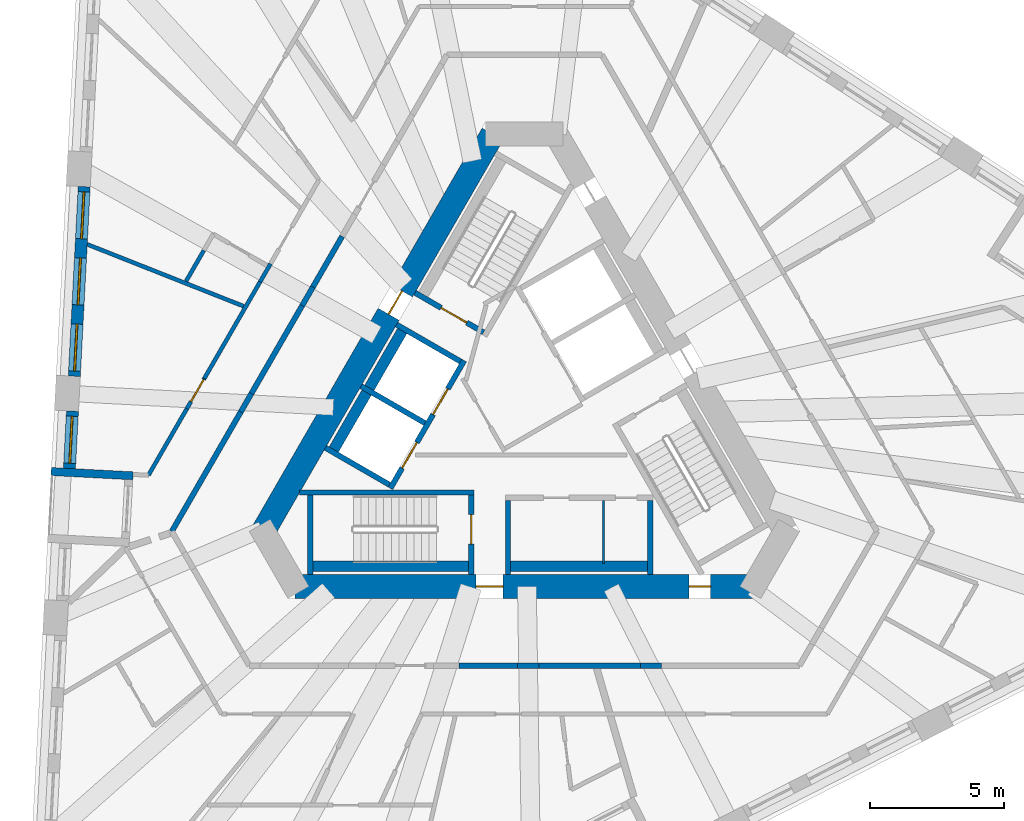
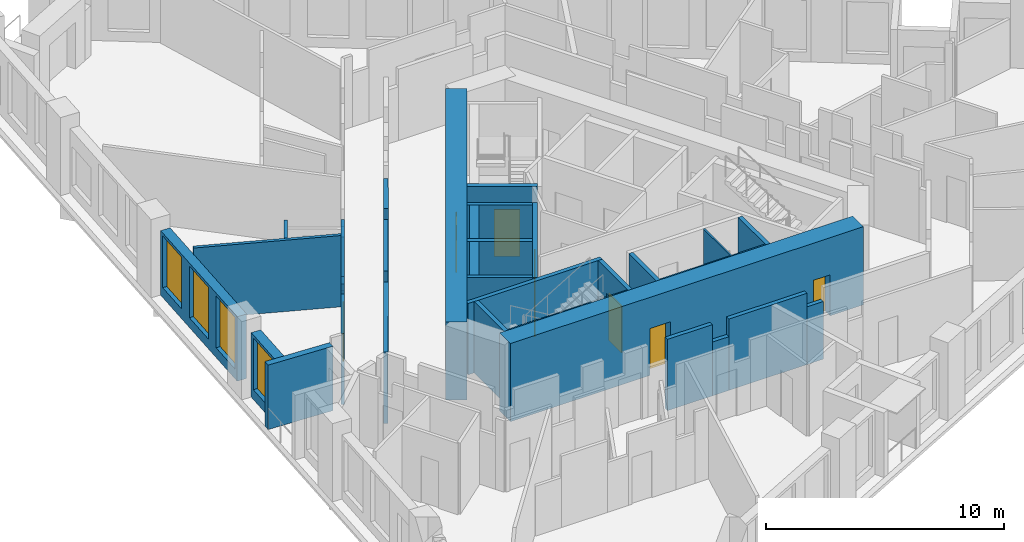
# One storey, part 4 of 13: 34 walls, 8 doors, 4 windows, 12 openings.
"""IFC4 building model written with IfcOpenShell, lengths in metres."""

import ifcopenshell
import ifcopenshell.guid

model = None  # the IFC model being written
_history = None  # IfcOwnerHistory: only IFC2X3 demands one
_inside = {}  # id of a spatial element -> (the spatial element, [elements in it])
_under = {}  # id of a project, library or spatial element -> (it, [spatial elements below it])
_declared = {}  # id of a project -> (the project, [libraries it declares])
_typed = {}  # id of a type object -> (the type object, [elements of that type])
_made_of = {}  # id of a material, layer set ... -> (it, [elements and type objects made of it])


def new_model(schema):
    """Start an empty IFC model of exactly this schema.

    Asked for "IFC4X3", IfcOpenShell would pick the latest addendum, in which some entities
    have other attributes; the version numbers below select the first issue.
    IFC2X3 requires an IfcOwnerHistory on every rooted entity: one is made here for all.
    """
    global model, _history
    if schema == "IFC4X3":
        model = ifcopenshell.file(schema_version=(4, 3, 0, 0))
    else:
        model = ifcopenshell.file(schema=schema)
    _inside.clear()
    _under.clear()
    _declared.clear()
    _typed.clear()
    _made_of.clear()
    _history = None
    if model.schema == "IFC2X3":
        org = make("IfcOrganization", Name="unknown")
        user = make(
            "IfcPersonAndOrganization",
            ThePerson=make("IfcPerson", FamilyName="unknown"),
            TheOrganization=org,
        )
        app = make(
            "IfcApplication",
            ApplicationDeveloper=org,
            Version="unknown",
            ApplicationFullName="unknown",
            ApplicationIdentifier="unknown",
        )
        _history = make(
            "IfcOwnerHistory",
            OwningUser=user,
            OwningApplication=app,
            ChangeAction="ADDED",
            CreationDate=0,
        )
    return model


def make(cls, **values):
    """One entity of the class cls with the attributes given. An attribute that is None is left unset."""
    return model.create_entity(
        cls, **{name: value for name, value in values.items() if value is not None}
    )


def rooted(cls, **values):
    """An entity with a GlobalId (a new one), such as an element, a storey or a relation."""
    return make(cls, GlobalId=ifcopenshell.guid.new(), OwnerHistory=_history, **values)


def si_unit(unit_type, name, prefix=None):
    """IfcSIUnit, for example si_unit("LENGTHUNIT", "METRE", prefix="MILLI")."""
    return make("IfcSIUnit", UnitType=unit_type, Prefix=prefix, Name=name)


def assignment(units):
    """IfcUnitAssignment: the units of a project."""
    return None if units is None else make("IfcUnitAssignment", Units=units)


def point(xyz):
    """IfcCartesianPoint."""
    return None if xyz is None else make("IfcCartesianPoint", Coordinates=xyz)


def direction(xyz):
    """IfcDirection."""
    return None if xyz is None else make("IfcDirection", DirectionRatios=xyz)


def frame(location, z_axis=None, x_axis=None):
    """IfcAxis2Placement3D, a coordinate frame: its origin and axes. An axis left out is left unset."""
    return make(
        "IfcAxis2Placement3D",
        Location=point(location),
        Axis=direction(z_axis),
        RefDirection=direction(x_axis),
    )


def frame_2d(location, x_axis=None):
    """IfcAxis2Placement2D, a coordinate frame in the plane: its origin and x axis."""
    return make(
        "IfcAxis2Placement2D", Location=point(location), RefDirection=direction(x_axis)
    )


def origin():
    """The frame at (0, 0, 0) with its axes left unset."""
    return frame((0.0, 0.0, 0.0))


def place(relative_to, where):
    """IfcLocalPlacement: puts the frame where relative to a parent placement (None: the world)."""
    return make(
        "IfcLocalPlacement", PlacementRelTo=relative_to, RelativePlacement=where
    )


def context(
    kind, dimensions, precision=None, world=None, true_north=None, identifier=None
):
    """IfcGeometricRepresentationContext, for example the 3D "Model" context."""
    return make(
        "IfcGeometricRepresentationContext",
        ContextIdentifier=identifier,
        ContextType=kind,
        CoordinateSpaceDimension=dimensions,
        Precision=precision,
        WorldCoordinateSystem=world,
        TrueNorth=true_north,
    )


def subcontext(parent, identifier, kind, view, scale=None):
    """IfcGeometricRepresentationSubContext, for example "Body" below "Model"."""
    return make(
        "IfcGeometricRepresentationSubContext",
        ContextIdentifier=identifier,
        ContextType=kind,
        ParentContext=parent,
        TargetScale=scale,
        TargetView=view,
    )


def project(units=None, contexts=None):
    """IfcProject with its units and contexts."""
    return rooted(
        "IfcProject",
        Name="project",
        RepresentationContexts=contexts,
        UnitsInContext=assignment(units),
    )


def spatial(cls, under=None, at=None, **own):
    """A site, building, storey or space (cls), placed at a placement, below another one or the project."""
    s = rooted(cls, ObjectPlacement=at, **own)
    if under is not None:
        _under.setdefault(under.id(), (under, []))[1].append(s)
    return s


def polyline(points):
    """IfcPolyline through the points."""
    return make("IfcPolyline", Points=[point(p) for p in points])


def profile(cls, at=None, kind="AREA", **sizes):
    """A parametric profile (cls). Its sizes go by their IFC names, for example OverallWidth=200.0."""
    return make(cls, ProfileType=kind, Position=at, **sizes)


def rectangle(**sizes):
    """IfcRectangleProfileDef."""
    return profile("IfcRectangleProfileDef", **sizes)


def outline(outer, holes=None, kind="AREA"):
    """IfcArbitraryClosedProfileDef: a profile drawn as a closed curve; with holes, ...WithVoids."""
    if holes is None:
        return make("IfcArbitraryClosedProfileDef", ProfileType=kind, OuterCurve=outer)
    return make(
        "IfcArbitraryProfileDefWithVoids",
        ProfileType=kind,
        OuterCurve=outer,
        InnerCurves=holes,
    )


def extrude(swept, where, along, depth):
    """IfcExtrudedAreaSolid: the profile swept, set in the frame where, extruded along a direction by depth."""
    return make(
        "IfcExtrudedAreaSolid",
        SweptArea=swept,
        Position=where,
        ExtrudedDirection=direction(along),
        Depth=depth,
    )


def shape(context_of_items, identifier, shape_type, items):
    """IfcShapeRepresentation: the items that make up one representation, for example the "Body"."""
    return make(
        "IfcShapeRepresentation",
        ContextOfItems=context_of_items,
        RepresentationIdentifier=identifier,
        RepresentationType=shape_type,
        Items=items,
    )


def material(Name=None, Category=None):
    """IfcMaterial."""
    return make("IfcMaterial", Name=Name, Category=Category)


def layer(
    of_material, thickness, ventilated=None, Name=None, Category=None, Priority=None
):
    """IfcMaterialLayer: one layer of a wall or slab, of a material (None: an air gap)."""
    return make(
        "IfcMaterialLayer",
        Material=of_material,
        LayerThickness=thickness,
        IsVentilated=ventilated,
        Name=Name,
        Category=Category,
        Priority=Priority,
    )


def layer_set(layers, Name=None):
    """IfcMaterialLayerSet."""
    return make("IfcMaterialLayerSet", MaterialLayers=layers, LayerSetName=Name)


def made_of(thing, what):
    """Note that an element or type object is made of a material, layer set ...; save() writes the relation."""
    if what is not None:
        _made_of.setdefault(what.id(), (what, []))[1].append(thing)
    return thing


def type_object(cls, material=None, **own):
    """A type object (cls), such as IfcWallType, which elements share."""
    return made_of(rooted(cls, **own), material)


def element(
    cls,
    number,
    at=None,
    inside=None,
    cuts=None,
    type_object=None,
    material=None,
    context=None,
    identifier="Body",
    shape_type=None,
    held_by="IfcProductDefinitionShape",
    body=None,
    shapes=None,
    **own,
):
    """One element of the class cls, such as IfcWall. Its Tag is "e" and its number.

    at: its placement. inside: the storey or other place that contains it. cuts: it is an
    opening in that element (IfcRelVoidsElement). A single representation is given by context,
    identifier, shape_type and body (its items); several are given by shapes. held_by: the class
    of the entity that holds the representations. save() writes the other relations.
    """
    e = rooted(cls, Tag="e%d" % number, ObjectPlacement=at, **own)
    if body is not None:
        shapes = [shape(context, identifier, shape_type, body)]
    if shapes is not None:
        e.Representation = make(held_by, Representations=shapes)
    if inside is not None:
        _inside.setdefault(inside.id(), (inside, []))[1].append(e)
    if cuts is not None:
        rooted(
            "IfcRelVoidsElement", RelatingBuildingElement=cuts, RelatedOpeningElement=e
        )
    if type_object is not None:
        _typed.setdefault(type_object.id(), (type_object, []))[1].append(e)
    return made_of(e, material)


def fill(opening, filler):
    """IfcRelFillsElement: the door or window that sits in an opening."""
    return rooted(
        "IfcRelFillsElement",
        RelatingOpeningElement=opening,
        RelatedBuildingElement=filler,
    )


def aggregate(whole, parts):
    """IfcRelAggregates: a whole, such as a stair, and the parts it consists of."""
    return rooted("IfcRelAggregates", RelatingObject=whole, RelatedObjects=parts)


def save(model, path):
    """Write the relations noted so far, then the file.

    IfcRelAggregates (storeys below a building ...), IfcRelContainedInSpatialStructure (elements
    in a storey), IfcRelDefinesByType, IfcRelAssociatesMaterial and IfcRelDeclares: one each for
    every whole, place, type object, material and project.
    """
    for whole, parts in _under.values():
        aggregate(whole, parts)
    for where, things in _inside.values():
        rooted(
            "IfcRelContainedInSpatialStructure",
            RelatedElements=things,
            RelatingStructure=where,
        )
    for kind, things in _typed.values():
        rooted("IfcRelDefinesByType", RelatedObjects=things, RelatingType=kind)
    for what, things in _made_of.values():
        rooted("IfcRelAssociatesMaterial", RelatedObjects=things, RelatingMaterial=what)
    for by, libraries in _declared.values():
        rooted("IfcRelDeclares", RelatingContext=by, RelatedDefinitions=libraries)
    model.write(path)


model = new_model("IFC4")

# Units and contexts
model_context = context("Model", 3, precision=1e-05, world=origin(), true_north=direction((0.0, 1.0)))
body_context = subcontext(model_context, "Body", "Model", "MODEL_VIEW")
ifc_project = project(units=[si_unit("LENGTHUNIT", "METRE"), si_unit("AREAUNIT", "SQUARE_METRE"), si_unit("VOLUMEUNIT", "CUBIC_METRE"), si_unit("PLANEANGLEUNIT", "RADIAN"), si_unit("MASSUNIT", "GRAM", prefix="KILO")], contexts=[model_context])

# Site, building, storey
site_placement = place(None, origin())
site = spatial("IfcSite", under=ifc_project, at=site_placement, CompositionType="ELEMENT")
building_placement = place(site_placement, origin())
building = spatial("IfcBuilding", under=site, at=building_placement, Name="Tramontana Tower", CompositionType="ELEMENT")
storey_placement = place(building_placement, frame((0.0, 0.0, 137.60009765625)))
storey = spatial("IfcBuildingStorey", under=building, at=storey_placement, Name="L31", CompositionType="ELEMENT", Elevation=137.60009765625)

# Wall, opening, door
ifc_material_1 = material(Name="Concrete 70 MPa", Category="concrete")
ifc_layer_1 = layer(ifc_material_1, 0.89990234375)
ifc_layer_set_1 = layer_set([ifc_layer_1], Name="Core wall 900 70 MPa")
wall_type_1 = type_object("IfcWallType", Name="Core wall 900 70 MPa", PredefinedType="SHEAR", material=ifc_layer_set_1)
wall_1_placement = place(storey_placement, frame((-1.18359375, 10.550048828125, 0.0), z_axis=(0.0, 0.0, 1.0), x_axis=(-0.500004814304, -0.866022624227, 0.0)))
wall_1 = element("IfcWall", 1, at=wall_1_placement, inside=storey, type_object=wall_type_1, Name="Core wall C1 L31", PredefinedType="SHEAR", context=body_context, shape_type="SweptSolid", body=[
    extrude(rectangle(XDim=17.089599609375, YDim=0.89990234375, at=frame_2d((8.544921875, 0.0))), origin(), (0.0, 0.0, 1.0), 4.0),
])
opening_1_placement = place(wall_1_placement, frame((6.749755859375, 0.0, 0.0)))
opening_1 = element("IfcOpeningElement", 2, at=opening_1_placement, cuts=wall_1, Name="Opening RG1", PredefinedType="OPENING", context=body_context, shape_type="SweptSolid", body=[
    extrude(rectangle(XDim=1.0, YDim=2.39990234375, at=frame_2d((0.5, 1.199951171875))), frame((0.0, 0.4599609375, 0.0), z_axis=(0.0, -1.0, 0.0), x_axis=(1.0, 0.0, 0.0)), (0.0, 0.0, 1.0), 0.919921875),
])
ifc_material_2 = material(Name="Painted steel", Category="steel")
door_type_1 = type_object("IfcDoorType", Name="RING DOOR 1000", OperationType="SINGLE_SWING_LEFT", PredefinedType="DOOR", material=ifc_material_2)
door_1_placement = place(opening_1_placement, origin())
door_1 = element("IfcDoor", 3, at=door_1_placement, inside=storey, type_object=door_type_1, Name="Door RG1", OperationType="SINGLE_SWING_RIGHT", OverallHeight=2.39990234375, OverallWidth=1.0, PredefinedType="DOOR", context=body_context, shape_type="SweptSolid", body=[
    extrude(rectangle(XDim=1.0, YDim=2.39990234375, at=frame_2d((0.5, 1.199951171875))), frame((0.0, 0.02490234375, 0.0), z_axis=(0.0, -1.0, 0.0), x_axis=(1.0, 0.0, 0.0)), (0.0, 0.0, 1.0), 0.050048828125),
])
fill(opening_1, door_1)

# Wall, openings, doors
wall_2_placement = place(storey_placement, frame((-8.544921875, -6.300048828125, 0.0), z_axis=(0.0, 0.0, 1.0), x_axis=(1.0, 0.0, 0.0)))
wall_2 = element("IfcWall", 4, at=wall_2_placement, inside=storey, type_object=wall_type_1, Name="Core wall C3 L31", PredefinedType="SHEAR", context=body_context, shape_type="SweptSolid", body=[
    extrude(rectangle(XDim=17.08984375, YDim=0.89990234375, at=frame_2d((8.544921875, 0.0))), origin(), (0.0, 0.0, 1.0), 4.0),
])
opening_2_placement = place(wall_2_placement, frame((6.749755859375, 0.0, 0.0)))
opening_2 = element("IfcOpeningElement", 5, at=opening_2_placement, cuts=wall_2, Name="Opening RG2", PredefinedType="OPENING", context=body_context, shape_type="SweptSolid", body=[
    extrude(rectangle(XDim=1.0, YDim=2.39990234375, at=frame_2d((0.5, 1.199951171875))), frame((0.0, 0.4599609375, 0.0), z_axis=(0.0, -1.0, 0.0), x_axis=(1.0, 0.0, 0.0)), (0.0, 0.0, 1.0), 0.919921875),
])
opening_3_placement = place(wall_2_placement, frame((14.678466796875, 0.0, 0.0)))
opening_3 = element("IfcOpeningElement", 6, at=opening_3_placement, cuts=wall_2, Name="Opening PD2", PredefinedType="OPENING", context=body_context, shape_type="SweptSolid", body=[
    extrude(rectangle(XDim=0.800048828125, YDim=2.10009765625, at=frame_2d((0.39990234375, 1.050048828125))), frame((0.0, 0.4599609375, 0.0), z_axis=(0.0, -1.0, 0.0), x_axis=(1.0, 0.0, 0.0)), (0.0, 0.0, 1.0), 0.919921875),
])
ifc_material_3 = material(Name="Painted steel", Category="steel")
door_type_2 = type_object("IfcDoorType", Name="CUPBOARD DOOR 800", OperationType="SINGLE_SWING_LEFT", PredefinedType="DOOR", material=ifc_material_3)
door_2_placement = place(opening_3_placement, origin())
door_2 = element("IfcDoor", 7, at=door_2_placement, inside=storey, type_object=door_type_2, Name="Door PD2", OperationType="SINGLE_SWING_LEFT", OverallHeight=2.10009765625, OverallWidth=0.800048828125, PredefinedType="DOOR", context=body_context, shape_type="SweptSolid", body=[
    extrude(rectangle(XDim=0.800048828125, YDim=2.10009765625, at=frame_2d((0.39990234375, 1.050048828125))), frame((0.0, 0.02490234375, 0.0), z_axis=(0.0, -1.0, 0.0), x_axis=(1.0, 0.0, 0.0)), (0.0, 0.0, 1.0), 0.050048828125),
])
fill(opening_3, door_2)
door_3_placement = place(opening_2_placement, origin())
door_3 = element("IfcDoor", 8, at=door_3_placement, inside=storey, type_object=door_type_1, Name="Door RG2", OperationType="SINGLE_SWING_LEFT", OverallHeight=2.39990234375, OverallWidth=1.0, PredefinedType="DOOR", context=body_context, shape_type="SweptSolid", body=[
    extrude(rectangle(XDim=1.0, YDim=2.39990234375, at=frame_2d((0.5, 1.199951171875))), frame((0.0, 0.02490234375, 0.0), z_axis=(0.0, -1.0, 0.0), x_axis=(1.0, 0.0, 0.0)), (0.0, 0.0, 1.0), 0.050048828125),
])
fill(opening_2, door_3)

# Walls
ifc_material_4 = material(Name="Blockwork", Category="masonry")
ifc_layer_2 = layer(ifc_material_4, 0.199951171875)
ifc_layer_set_2 = layer_set([ifc_layer_2], Name="ENTRY WALL 200")
wall_type_2 = type_object("IfcWallType", Name="ENTRY WALL 200", PredefinedType="SOLIDWALL", material=ifc_layer_set_2)
wall_3_placement = place(storey_placement, frame((5.10595703125, -9.25, 0.0), z_axis=(0.0, 0.0, 1.0), x_axis=(-1.0, 0.0, 0.0)))
element("IfcWall", 9, at=wall_3_placement, inside=storey, type_object=wall_type_2, Name="Wall v31-ew2-1", PredefinedType="SOLIDWALL", context=body_context, shape_type="SweptSolid", body=[
    extrude(rectangle(XDim=0.78564453125, YDim=0.199951171875, at=frame_2d((0.392822265625, 0.0))), origin(), (0.0, 0.0, 1.0), 2.949951171875),
])
wall_4_placement = place(storey_placement, frame((4.3203125, -9.25, 0.0), z_axis=(0.0, 0.0, 1.0), x_axis=(-1.0, 0.0, 0.0)))
element("IfcWall", 10, at=wall_4_placement, inside=storey, type_object=wall_type_2, Name="Wall v31-ew2-2", PredefinedType="SOLIDWALL", context=body_context, shape_type="SweptSolid", body=[
    extrude(rectangle(XDim=3.783203125, YDim=0.199951171875, at=frame_2d((1.8916015625, 0.0))), origin(), (0.0, 0.0, 1.0), 3.64990234375),
])
wall_5_placement = place(storey_placement, frame((0.537109375, -9.25, 0.0), z_axis=(0.0, 0.0, 1.0), x_axis=(-1.0, 0.0, 0.0)))
element("IfcWall", 11, at=wall_5_placement, inside=storey, type_object=wall_type_2, Name="Wall v31-ew2-3", PredefinedType="SOLIDWALL", context=body_context, shape_type="SweptSolid", body=[
    extrude(rectangle(XDim=0.800048828125, YDim=0.199951171875, at=frame_2d((0.39990234375, 0.0))), origin(), (0.0, 0.0, 1.0), 2.75),
])
wall_6_placement = place(storey_placement, frame((-0.262939453125, -9.25, 0.0), z_axis=(0.0, 0.0, 1.0), x_axis=(-1.0, 0.0, 0.0)))
element("IfcWall", 12, at=wall_6_placement, inside=storey, type_object=wall_type_2, Name="Wall v31-ew2-4", PredefinedType="SOLIDWALL", context=body_context, shape_type="SweptSolid", body=[
    extrude(rectangle(XDim=2.17822265625, YDim=0.199951171875, at=frame_2d((1.089111328125, 0.0))), origin(), (0.0, 0.0, 1.0), 3.64990234375),
])
wall_7_placement = place(storey_placement, frame((-13.134765625, -4.25, 0.0), z_axis=(0.0, 0.0, 1.0), x_axis=(0.50000466804, 0.866022708674, 0.0)))
element("IfcWall", 13, at=wall_7_placement, inside=storey, type_object=wall_type_2, Name="Wall v31-ew4-0", PredefinedType="SOLIDWALL", context=body_context, shape_type="SweptSolid", body=[
    extrude(rectangle(XDim=5.14208984375, YDim=0.199951171875, at=frame_2d((2.571044921875, 0.0))), origin(), (0.0, 0.0, 1.0), 3.64990234375),
])
wall_8_placement = place(storey_placement, frame((-10.563720703125, 0.203125, 0.0), z_axis=(0.0, 0.0, 1.0), x_axis=(0.499982474044, 0.866035522163, 0.0)))
element("IfcWall", 14, at=wall_8_placement, inside=storey, type_object=wall_type_2, Name="Wall v31-ew4-1", PredefinedType="SOLIDWALL", context=body_context, shape_type="SweptSolid", body=[
    extrude(rectangle(XDim=0.78564453125, YDim=0.199951171875, at=frame_2d((0.392822265625, 0.0))), origin(), (0.0, 0.0, 1.0), 2.949951171875),
])
wall_9_placement = place(storey_placement, frame((-10.1708984375, 0.883544921875, 0.0), z_axis=(0.0, 0.0, 1.0), x_axis=(0.499998034377, 0.866026538634, 0.0)))
element("IfcWall", 15, at=wall_9_placement, inside=storey, type_object=wall_type_2, Name="Wall v31-ew4-2", PredefinedType="SOLIDWALL", context=body_context, shape_type="SweptSolid", body=[
    extrude(rectangle(XDim=3.783203125, YDim=0.199951171875, at=frame_2d((1.8916015625, 0.0))), origin(), (0.0, 0.0, 1.0), 3.64990234375),
])
wall_10_placement = place(storey_placement, frame((-8.279296875, 4.159912109375, 0.0), z_axis=(0.0, 0.0, 1.0), x_axis=(0.500109828528, 0.865961984968, 0.0)))
element("IfcWall", 16, at=wall_10_placement, inside=storey, type_object=wall_type_2, Name="Wall v31-ew4-3", PredefinedType="SOLIDWALL", context=body_context, shape_type="SweptSolid", body=[
    extrude(rectangle(XDim=0.800048828125, YDim=0.199951171875, at=frame_2d((0.39990234375, 0.0))), origin(), (0.0, 0.0, 1.0), 2.75),
])
wall_11_placement = place(storey_placement, frame((-7.879150390625, 4.852783203125, 0.0), z_axis=(0.0, 0.0, 1.0), x_axis=(0.499948868167, 0.866054922749, 0.0)))
element("IfcWall", 17, at=wall_11_placement, inside=storey, type_object=wall_type_2, Name="Wall v31-ew4-4", PredefinedType="SOLIDWALL", context=body_context, shape_type="SweptSolid", body=[
    extrude(rectangle(XDim=2.177978515625, YDim=0.199951171875, at=frame_2d((1.0888671875, 0.0))), origin(), (0.0, 0.0, 1.0), 3.64990234375),
])

# Wall, openings, windows
ifc_material_5 = material(Name="Precast concrete 60 MPa", Category="concrete")
ifc_layer_3 = layer(ifc_material_5, 0.449951171875)
ifc_layer_set_3 = layer_set([ifc_layer_3], Name="Precast concrete 60 MPa, 450 mm")
wall_type_3 = type_object("IfcWallType", Name="EW1 Stone-faced precast wall 450", PredefinedType="SOLIDWALL", material=ifc_layer_set_3)
wall_12_placement = place(storey_placement, frame((-16.397705078125, 8.591552734375, 0.0), z_axis=(0.0, 0.0, 1.0), x_axis=(-0.052337766399, -0.998629439887, 0.0)))
wall_12 = element("IfcWall", 18, at=wall_12_placement, inside=storey, type_object=wall_type_3, Name="External wall L31 face 0 bay 3", PredefinedType="SOLIDWALL", context=body_context, shape_type="SweptSolid", body=[
    extrude(rectangle(XDim=7.07177734375, YDim=0.449951171875, at=frame_2d((3.535888671875, 0.0))), origin(), (0.0, 0.0, 1.0), 3.2998046875),
])
opening_4_placement = place(wall_12_placement, frame((0.1953125, 0.0, 0.5)))
opening_4 = element("IfcOpeningElement", 19, at=opening_4_placement, cuts=wall_12, Name="Opening M2", PredefinedType="OPENING", context=body_context, shape_type="SweptSolid", body=[
    extrude(rectangle(XDim=1.75, YDim=2.64990234375, at=frame_2d((0.875, 1.324951171875))), frame((0.0, 0.23486328125, 0.0), z_axis=(0.0, -1.0, 0.0), x_axis=(1.0, 0.0, 0.0)), (0.0, 0.0, 1.0), 0.469970703125),
])
opening_5_placement = place(wall_12_placement, frame((2.660888671875, 0.0, 0.5)))
opening_5 = element("IfcOpeningElement", 20, at=opening_5_placement, cuts=wall_12, Name="Opening M2", PredefinedType="OPENING", context=body_context, shape_type="SweptSolid", body=[
    extrude(rectangle(XDim=1.75, YDim=2.64990234375, at=frame_2d((0.875, 1.324951171875))), frame((0.0, 0.23486328125, 0.0), z_axis=(0.0, -1.0, 0.0), x_axis=(1.0, 0.0, 0.0)), (0.0, 0.0, 1.0), 0.469970703125),
])
opening_6_placement = place(wall_12_placement, frame((5.126220703125, 0.0, 0.5)))
opening_6 = element("IfcOpeningElement", 21, at=opening_6_placement, cuts=wall_12, Name="Opening M2", PredefinedType="OPENING", context=body_context, shape_type="SweptSolid", body=[
    extrude(rectangle(XDim=1.75, YDim=2.64990234375, at=frame_2d((0.875, 1.324951171875))), frame((0.0, 0.23486328125, 0.0), z_axis=(0.0, -1.0, 0.0), x_axis=(1.0, 0.0, 0.0)), (0.0, 0.0, 1.0), 0.469970703125),
])
ifc_material_6 = material(Name="Aluminum frame, double glazing unit", Category="aluminium")
window_type = type_object("IfcWindowType", Name="M2 Window 1.75 x 2.65", PartitioningType="SINGLE_PANEL", PredefinedType="WINDOW", material=ifc_material_6)
window_1_placement = place(opening_4_placement, origin())
window_1 = element("IfcWindow", 22, at=window_1_placement, inside=storey, type_object=window_type, Name="Window M2 L31 face 0 module 7", OverallHeight=2.64990234375, OverallWidth=1.75, PartitioningType="SINGLE_PANEL", PredefinedType="WINDOW", context=body_context, shape_type="SweptSolid", body=[
    extrude(rectangle(XDim=1.75, YDim=2.64990234375, at=frame_2d((0.875, 1.324951171875))), frame((0.0, 0.030029296875, 0.0), z_axis=(0.0, -1.0, 0.0), x_axis=(1.0, 0.0, 0.0)), (0.0, 0.0, 1.0), 0.06005859375),
])
fill(opening_4, window_1)
window_2_placement = place(opening_5_placement, origin())
window_2 = element("IfcWindow", 23, at=window_2_placement, inside=storey, type_object=window_type, Name="Window M2 L31 face 0 module 8", OverallHeight=2.64990234375, OverallWidth=1.75, PartitioningType="SINGLE_PANEL", PredefinedType="WINDOW", context=body_context, shape_type="SweptSolid", body=[
    extrude(rectangle(XDim=1.75, YDim=2.64990234375, at=frame_2d((0.875, 1.324951171875))), frame((0.0, 0.030029296875, 0.0), z_axis=(0.0, -1.0, 0.0), x_axis=(1.0, 0.0, 0.0)), (0.0, 0.0, 1.0), 0.06005859375),
])
fill(opening_5, window_2)
window_3_placement = place(opening_6_placement, origin())
window_3 = element("IfcWindow", 24, at=window_3_placement, inside=storey, type_object=window_type, Name="Window M2 L31 face 0 module 9", OverallHeight=2.64990234375, OverallWidth=1.75, PartitioningType="SINGLE_PANEL", PredefinedType="WINDOW", context=body_context, shape_type="SweptSolid", body=[
    extrude(rectangle(XDim=1.75, YDim=2.64990234375, at=frame_2d((0.875, 1.324951171875))), frame((0.0, 0.030029296875, 0.0), z_axis=(0.0, -1.0, 0.0), x_axis=(1.0, 0.0, 0.0)), (0.0, 0.0, 1.0), 0.06005859375),
])
fill(opening_6, window_3)

# Wall, opening, window
wall_13_placement = place(storey_placement, frame((-16.8359375, 0.2314453125, 0.0), z_axis=(0.0, 0.0, 1.0), x_axis=(-0.05234931875, -0.998628834366, 0.0)))
wall_13 = element("IfcWall", 25, at=wall_13_placement, inside=storey, type_object=wall_type_3, Name="External wall L31 face 0 bay 4", PredefinedType="SOLIDWALL", context=body_context, shape_type="SweptSolid", body=[
    extrude(rectangle(XDim=2.140625, YDim=0.449951171875, at=frame_2d((1.0703125, 0.0))), origin(), (0.0, 0.0, 1.0), 3.2998046875),
])
opening_7_placement = place(wall_13_placement, frame((0.1953125, 0.0, 0.5)))
opening_7 = element("IfcOpeningElement", 26, at=opening_7_placement, cuts=wall_13, Name="Opening M2", PredefinedType="OPENING", context=body_context, shape_type="SweptSolid", body=[
    extrude(rectangle(XDim=1.75, YDim=2.64990234375, at=frame_2d((0.875, 1.324951171875))), frame((0.0, 0.23486328125, 0.0), z_axis=(0.0, -1.0, 0.0), x_axis=(1.0, 0.0, 0.0)), (0.0, 0.0, 1.0), 0.469970703125),
])
window_4_placement = place(opening_7_placement, origin())
window_4 = element("IfcWindow", 27, at=window_4_placement, inside=storey, type_object=window_type, Name="Window M2 L31 face 0 module 10", OverallHeight=2.64990234375, OverallWidth=1.75, PartitioningType="SINGLE_PANEL", PredefinedType="WINDOW", context=body_context, shape_type="SweptSolid", body=[
    extrude(rectangle(XDim=1.75, YDim=2.64990234375, at=frame_2d((0.875, 1.324951171875))), frame((0.0, 0.030029296875, 0.0), z_axis=(0.0, -1.0, 0.0), x_axis=(1.0, 0.0, 0.0)), (0.0, 0.0, 1.0), 0.06005859375),
])
fill(opening_7, window_4)

# Walls
ifc_material_7 = material(Name="Precast concrete 60 MPa", Category="concrete")
ifc_layer_4 = layer(ifc_material_7, 0.300048828125)
ifc_layer_set_4 = layer_set([ifc_layer_4], Name="LW1 Stone-faced loggia wall 300")
wall_type_4 = type_object("IfcWallType", Name="LW1 Stone-faced loggia wall 300", PredefinedType="SOLIDWALL", material=ifc_layer_set_4)
wall_14_placement = place(storey_placement, frame((-17.6298828125, -2.0205078125, 0.0), z_axis=(0.0, 0.0, 1.0), x_axis=(0.99862886304, -0.052348771756, 0.0)))
element("IfcWall", 28, at=wall_14_placement, inside=storey, type_object=wall_type_4, Name="Loggia return L31 G3S0.10a", PredefinedType="SOLIDWALL", context=body_context, shape_type="SweptSolid", body=[
    extrude(rectangle(XDim=3.050048828125, YDim=0.300048828125, at=frame_2d((1.52490234375, 0.0))), origin(), (0.0, 0.0, 1.0), 3.2998046875),
])
ifc_material_8 = material(Name="Gypsum board partition")
ifc_layer_5 = layer(ifc_material_8, 0.14990234375)
ifc_layer_set_5 = layer_set([ifc_layer_5], Name="PARTITION 150")
wall_type_5 = type_object("IfcWallType", Name="PARTITION 150", PredefinedType="PARTITIONING", material=ifc_layer_set_5)
wall_15_placement = place(storey_placement, frame((-14.006103515625, -2.159423828125, 0.0), z_axis=(0.0, 0.0, 1.0), x_axis=(0.499943820161, 0.8660578368, 0.0)))
element("IfcWall", 29, at=wall_15_placement, inside=storey, type_object=wall_type_5, Name="Wall v31-pw04-0", PredefinedType="PARTITIONING", context=body_context, shape_type="SweptSolid", body=[
    extrude(rectangle(XDim=2.864013671875, YDim=0.14990234375, at=frame_2d((1.43212890625, 0.0))), origin(), (0.0, 0.0, 1.0), 3.64990234375),
])

# Wall, opening, door
wall_16_placement = place(storey_placement, frame((-12.57421875, 0.321044921875, 0.0), z_axis=(0.0, 0.0, 1.0), x_axis=(0.500133819797, 0.865948129102, 0.0)))
wall_16 = element("IfcWall", 30, at=wall_16_placement, inside=storey, type_object=wall_type_5, Name="Wall v31-pw04-1", PredefinedType="PARTITIONING", context=body_context, shape_type="SweptSolid", body=[
    extrude(outline(polyline([(0.0, 0.0), (1.301513671875, 0.0), (1.301513671875, 3.64990234375), (0.757568359375, 3.64990234375), (0.757568359375, 2.949951171875), (0.0, 2.949951171875), (0.0, 0.0)])), frame((0.0, 0.074951171875, 0.0), z_axis=(0.0, -1.0, 0.0), x_axis=(1.0, 0.0, 0.0)), (0.0, 0.0, 1.0), 0.14990234375),
])
opening_8_placement = place(wall_16_placement, frame((0.301513671875, 0.0, 0.0)))
opening_8 = element("IfcOpeningElement", 31, at=opening_8_placement, cuts=wall_16, Name="Opening B3B-06", PredefinedType="OPENING", context=body_context, shape_type="SweptSolid", body=[
    extrude(rectangle(XDim=0.949951171875, YDim=2.39990234375, at=frame_2d((0.47509765625, 1.199951171875))), frame((0.0, 0.0849609375, 0.0), z_axis=(0.0, -1.0, 0.0), x_axis=(1.0, 0.0, 0.0)), (0.0, 0.0, 1.0), 0.169921875),
])
ifc_material_9 = material(Name="Painted timber", Category="wood")
door_type_3 = type_object("IfcDoorType", Name="DOOR ROOM 950", OperationType="SINGLE_SWING_LEFT", PredefinedType="DOOR", material=ifc_material_9)
door_4_placement = place(opening_8_placement, origin())
door_4 = element("IfcDoor", 32, at=door_4_placement, inside=storey, type_object=door_type_3, Name="Door B3B-06", OperationType="SINGLE_SWING_RIGHT", OverallHeight=2.39990234375, OverallWidth=0.949951171875, PredefinedType="DOOR", context=body_context, shape_type="SweptSolid", body=[
    extrude(rectangle(XDim=0.949951171875, YDim=2.39990234375, at=frame_2d((0.47509765625, 1.199951171875))), frame((0.0, 0.02490234375, 0.0), z_axis=(0.0, -1.0, 0.0), x_axis=(1.0, 0.0, 0.0)), (0.0, 0.0, 1.0), 0.050048828125),
])
fill(opening_8, door_4)

# Walls
wall_17_placement = place(storey_placement, frame((-11.92333984375, 1.447998046875, 0.0), z_axis=(0.0, 0.0, 1.0), x_axis=(0.499980071345, 0.866036909293, 0.0)))
element("IfcWall", 33, at=wall_17_placement, inside=storey, type_object=wall_type_5, Name="Wall v31-pw04-2", PredefinedType="PARTITIONING", context=body_context, shape_type="SweptSolid", body=[
    extrude(rectangle(XDim=4.156494140625, YDim=0.14990234375, at=frame_2d((2.078125, 0.0))), origin(), (0.0, 0.0, 1.0), 3.64990234375),
])
wall_18_placement = place(storey_placement, frame((-9.84521484375, 5.047607421875, 0.0), z_axis=(0.0, 0.0, 1.0), x_axis=(0.499967891604, 0.866043940782, 0.0)))
element("IfcWall", 34, at=wall_18_placement, inside=storey, type_object=wall_type_5, Name="Wall v31-pw04-3", PredefinedType="PARTITIONING", context=body_context, shape_type="SweptSolid", body=[
    extrude(rectangle(XDim=0.77490234375, YDim=0.14990234375, at=frame_2d((0.387451171875, 0.0))), origin(), (0.0, 0.0, 1.0), 2.75),
])
wall_19_placement = place(storey_placement, frame((-12.605224609375, 5.067138671875, 0.0), z_axis=(0.0, 0.0, 1.0), x_axis=(0.500035527442, 0.866004891035, 0.0)))
element("IfcWall", 35, at=wall_19_placement, inside=storey, type_object=wall_type_5, Name="Wall v31-pw08-0", PredefinedType="PARTITIONING", context=body_context, shape_type="SweptSolid", body=[
    extrude(rectangle(XDim=1.32763671875, YDim=0.14990234375, at=frame_2d((0.663818359375, 0.0))), origin(), (0.0, 0.0, 1.0), 3.64990234375),
])
wall_20_placement = place(storey_placement, frame((-10.45751953125, 4.136962890625, 0.0), z_axis=(0.0, 0.0, 1.0), x_axis=(-0.929893797105, 0.36782812033, 0.0)))
element("IfcWall", 36, at=wall_20_placement, inside=storey, type_object=wall_type_5, Name="Wall v31-pw13", PredefinedType="PARTITIONING", context=body_context, shape_type="SweptSolid", body=[
    extrude(rectangle(XDim=6.26708984375, YDim=0.14990234375, at=frame_2d((3.133544921875, 0.0))), origin(), (0.0, 0.0, 1.0), 3.64990234375),
])
ifc_material_10 = material(Name="Gypsum board partition")
ifc_layer_6 = layer(ifc_material_10, 0.080078125)
ifc_layer_set_6 = layer_set([ifc_layer_6], Name="PARTITION 80")
wall_type_6 = type_object("IfcWallType", Name="PARTITION 80", PredefinedType="PARTITIONING", material=ifc_layer_set_6)
wall_21_placement = place(storey_placement, frame((2.93994140625, -3.10009765625, 0.0), z_axis=(0.0, 0.0, 1.0), x_axis=(0.0, -1.0, 0.0)))
element("IfcWall", 37, at=wall_21_placement, inside=storey, type_object=wall_type_6, Name="Wall row1-split", PredefinedType="PARTITIONING", context=body_context, shape_type="SweptSolid", body=[
    extrude(rectangle(XDim=2.349853515625, YDim=0.080078125, at=frame_2d((1.1748046875, 0.0))), origin(), (0.0, 0.0, 1.0), 3.64990234375),
])
ifc_material_11 = material(Name="Concrete 70 MPa", Category="concrete")
ifc_layer_7 = layer(ifc_material_11, 0.39990234375)
ifc_layer_set_7 = layer_set([ifc_layer_7], Name="Concrete 70 MPa, 400 mm")
wall_type_7 = type_object("IfcWallType", Name="RC SHAFT BACK WALL 400", PredefinedType="SOLIDWALL", material=ifc_layer_set_7)
wall_22_placement = place(storey_placement, frame((-8.080078125, -5.550048828125, 0.0), z_axis=(0.0, 0.0, 1.0), x_axis=(1.0, 0.0, 0.0)))
element("IfcWall", 38, at=wall_22_placement, inside=storey, type_object=wall_type_7, Name="Wall st2-back", PredefinedType="SOLIDWALL", context=body_context, shape_type="SweptSolid", body=[
    extrude(rectangle(XDim=6.2001953125, YDim=0.39990234375, at=frame_2d((3.10009765625, 0.0))), origin(), (0.0, 0.0, 1.0), 3.64990234375),
])
for number, where, z_axis, x_axis, name in (
    (39, (-4.451416015625, 3.389892578125, 0.0), (0.0, 0.0, 1.0), (-0.499996545922, -0.866027397988, 0.0), "Wall row0-back"),
    (40, (-0.7099609375, -5.550048828125, 0.0), (0.0, 0.0, 1.0), (1.0, 0.0, 0.0), "Wall row1-back"),
):
    element("IfcWall", number, at=place(storey_placement, frame(where, z_axis=z_axis, x_axis=x_axis)), inside=storey, type_object=wall_type_7, Name=name, PredefinedType="SOLIDWALL", context=body_context, shape_type="SweptSolid", body=[
        extrude(rectangle(XDim=5.5, YDim=0.39990234375, at=frame_2d((2.75, 0.0))), origin(), (0.0, 0.0, 1.0), 3.64990234375),
    ])

# Wall, opening, door
ifc_material_12 = material(Name="Concrete 70 MPa", Category="concrete")
ifc_layer_8 = layer(ifc_material_12, 0.199951171875)
ifc_layer_set_8 = layer_set([ifc_layer_8], Name="Concrete 70 MPa, 200 mm")
wall_type_8 = type_object("IfcWallType", Name="RC STAIR AND SHAFT WALL 200", PredefinedType="SOLIDWALL", material=ifc_layer_set_8)
wall_23_placement = place(storey_placement, frame((-1.521484375, 3.164794921875, 0.0), z_axis=(0.0, 0.0, 1.0), x_axis=(-0.866039495442, 0.49997559174, 0.0)))
wall_23 = element("IfcWall", 41, at=wall_23_placement, inside=storey, type_object=wall_type_8, Name="Wall st1-near", PredefinedType="SOLIDWALL", context=body_context, shape_type="SweptSolid", body=[
    extrude(rectangle(XDim=2.949951171875, YDim=0.199951171875, at=frame_2d((1.47509765625, 0.0))), origin(), (0.0, 0.0, 1.0), 3.64990234375),
])
opening_9_placement = place(wall_23_placement, frame((0.72509765625, 0.0, 0.0)))
opening_9 = element("IfcOpeningElement", 42, at=opening_9_placement, cuts=wall_23, Name="Opening SD1", PredefinedType="OPENING", context=body_context, shape_type="SweptSolid", body=[
    extrude(rectangle(XDim=1.10009765625, YDim=2.39990234375, at=frame_2d((0.550048828125, 1.199951171875))), frame((0.0, 0.10986328125, 0.0), z_axis=(0.0, -1.0, 0.0), x_axis=(1.0, 0.0, 0.0)), (0.0, 0.0, 1.0), 0.219970703125),
])
ifc_material_13 = material(Name="Painted steel", Category="steel")
door_type_4 = type_object("IfcDoorType", Name="STAIR DOOR 1100", OperationType="SINGLE_SWING_LEFT", PredefinedType="DOOR", material=ifc_material_13)
door_5_placement = place(opening_9_placement, origin())
door_5 = element("IfcDoor", 43, at=door_5_placement, inside=storey, type_object=door_type_4, Name="Door SD1", OperationType="SINGLE_SWING_RIGHT", OverallHeight=2.39990234375, OverallWidth=1.10009765625, PredefinedType="DOOR", context=body_context, shape_type="SweptSolid", body=[
    extrude(rectangle(XDim=1.10009765625, YDim=2.39990234375, at=frame_2d((0.550048828125, 1.199951171875))), frame((0.0, 0.02490234375, 0.0), z_axis=(0.0, -1.0, 0.0), x_axis=(1.0, 0.0, 0.0)), (0.0, 0.0, 1.0), 0.050048828125),
])
fill(opening_9, door_5)

# Walls
wall_24_placement = place(storey_placement, frame((-8.37158203125, -2.800048828125, 0.0), z_axis=(0.0, 0.0, 1.0), x_axis=(1.0, 0.0, 0.0)))
element("IfcWall", 44, at=wall_24_placement, inside=storey, type_object=wall_type_8, Name="Wall st2-front", PredefinedType="SOLIDWALL", context=body_context, shape_type="SweptSolid", body=[
    extrude(rectangle(XDim=6.49169921875, YDim=0.199951171875, at=frame_2d((3.245849609375, 0.0))), origin(), (0.0, 0.0, 1.0), 3.64990234375),
])
wall_25_placement = place(storey_placement, frame((-7.97998046875, -2.89990234375, 0.0), z_axis=(0.0, 0.0, 1.0), x_axis=(0.0, -1.0, 0.0)))
element("IfcWall", 45, at=wall_25_placement, inside=storey, type_object=wall_type_8, Name="Wall st2-far", PredefinedType="SOLIDWALL", context=body_context, shape_type="SweptSolid", body=[
    extrude(rectangle(XDim=2.9501953125, YDim=0.199951171875, at=frame_2d((1.47509765625, 0.0))), origin(), (0.0, 0.0, 1.0), 3.64990234375),
])

# Wall, opening, door
wall_26_placement = place(storey_placement, frame((-1.97998046875, -2.89990234375, 0.0), z_axis=(0.0, 0.0, 1.0), x_axis=(0.0, -1.0, 0.0)))
wall_26 = element("IfcWall", 46, at=wall_26_placement, inside=storey, type_object=wall_type_8, Name="Wall st2-near", PredefinedType="SOLIDWALL", context=body_context, shape_type="SweptSolid", body=[
    extrude(rectangle(XDim=2.9501953125, YDim=0.199951171875, at=frame_2d((1.47509765625, 0.0))), origin(), (0.0, 0.0, 1.0), 3.64990234375),
])
opening_10_placement = place(wall_26_placement, frame((0.72509765625, 0.0, 0.0)))
opening_10 = element("IfcOpeningElement", 47, at=opening_10_placement, cuts=wall_26, Name="Opening SD2", PredefinedType="OPENING", context=body_context, shape_type="SweptSolid", body=[
    extrude(rectangle(XDim=1.10009765625, YDim=2.39990234375, at=frame_2d((0.550048828125, 1.199951171875))), frame((0.0, 0.10986328125, 0.0), z_axis=(0.0, -1.0, 0.0), x_axis=(1.0, 0.0, 0.0)), (0.0, 0.0, 1.0), 0.219970703125),
])
door_6_placement = place(opening_10_placement, origin())
door_6 = element("IfcDoor", 48, at=door_6_placement, inside=storey, type_object=door_type_4, Name="Door SD2", OperationType="SINGLE_SWING_LEFT", OverallHeight=2.39990234375, OverallWidth=1.10009765625, PredefinedType="DOOR", context=body_context, shape_type="SweptSolid", body=[
    extrude(rectangle(XDim=1.10009765625, YDim=2.39990234375, at=frame_2d((0.550048828125, 1.199951171875))), frame((0.0, 0.02490234375, 0.0), z_axis=(0.0, -1.0, 0.0), x_axis=(1.0, 0.0, 0.0)), (0.0, 0.0, 1.0), 0.050048828125),
])
fill(opening_10, door_6)

# Wall, openings, doors
wall_27_placement = place(storey_placement, frame((-2.2431640625, 2.114990234375, 0.0), z_axis=(0.0, 0.0, 1.0), x_axis=(-0.499996545922, -0.866027397988, 0.0)))
wall_27 = element("IfcWall", 49, at=wall_27_placement, inside=storey, type_object=wall_type_8, Name="Wall row0-front", PredefinedType="SOLIDWALL", context=body_context, shape_type="SweptSolid", body=[
    extrude(rectangle(XDim=5.5, YDim=0.199951171875, at=frame_2d((2.75, 0.0))), origin(), (0.0, 0.0, 1.0), 3.64990234375),
])
opening_11_placement = place(wall_27_placement, frame((1.219970703125, 0.0, 0.0)))
opening_11 = element("IfcOpeningElement", 50, at=opening_11_placement, cuts=wall_27, Name="Opening LD-P1", PredefinedType="OPENING", context=body_context, shape_type="SweptSolid", body=[
    extrude(rectangle(XDim=1.10009765625, YDim=2.10009765625, at=frame_2d((0.550048828125, 1.050048828125))), frame((0.0, 0.10986328125, 0.0), z_axis=(0.0, -1.0, 0.0), x_axis=(1.0, 0.0, 0.0)), (0.0, 0.0, 1.0), 0.219970703125),
])
opening_12_placement = place(wall_27_placement, frame((3.52490234375, 0.0, 0.0)))
opening_12 = element("IfcOpeningElement", 51, at=opening_12_placement, cuts=wall_27, Name="Opening LD-P2", PredefinedType="OPENING", context=body_context, shape_type="SweptSolid", body=[
    extrude(rectangle(XDim=1.10009765625, YDim=2.10009765625, at=frame_2d((0.550048828125, 1.050048828125))), frame((0.0, 0.10986328125, 0.0), z_axis=(0.0, -1.0, 0.0), x_axis=(1.0, 0.0, 0.0)), (0.0, 0.0, 1.0), 0.219970703125),
])
ifc_material_14 = material(Name="Brushed steel", Category="steel")
door_type_5 = type_object("IfcDoorType", Name="LANDING DOOR 1100", OperationType="SINGLE_SWING_LEFT", PredefinedType="DOOR", material=ifc_material_14)
door_7_placement = place(opening_11_placement, origin())
door_7 = element("IfcDoor", 52, at=door_7_placement, inside=storey, type_object=door_type_5, Name="Door LD-P1", OperationType="SLIDING_TO_LEFT", OverallHeight=2.10009765625, OverallWidth=1.10009765625, PredefinedType="DOOR", context=body_context, shape_type="SweptSolid", body=[
    extrude(rectangle(XDim=1.10009765625, YDim=2.10009765625, at=frame_2d((0.550048828125, 1.050048828125))), frame((0.0, 0.02490234375, 0.0), z_axis=(0.0, -1.0, 0.0), x_axis=(1.0, 0.0, 0.0)), (0.0, 0.0, 1.0), 0.050048828125),
])
fill(opening_11, door_7)
door_8_placement = place(opening_12_placement, origin())
door_8 = element("IfcDoor", 53, at=door_8_placement, inside=storey, type_object=door_type_5, Name="Door LD-P2", OperationType="SLIDING_TO_RIGHT", OverallHeight=2.10009765625, OverallWidth=1.10009765625, PredefinedType="DOOR", context=body_context, shape_type="SweptSolid", body=[
    extrude(rectangle(XDim=1.10009765625, YDim=2.10009765625, at=frame_2d((0.550048828125, 1.050048828125))), frame((0.0, 0.02490234375, 0.0), z_axis=(0.0, -1.0, 0.0), x_axis=(1.0, 0.0, 0.0)), (0.0, 0.0, 1.0), 0.050048828125),
])
fill(opening_12, door_8)

# Walls
for number, where, z_axis, x_axis, name in (
    (54, (-2.379638671875, 2.078369140625, 0.0), (0.0, 0.0, 1.0), (-0.866027397988, 0.499996545922, 0.0), "Wall row0-side0"),
    (55, (-3.70458984375, -0.216796875, 0.0), (0.0, 0.0, 1.0), (-0.866027397988, 0.499996545922, 0.0), "Wall row0-side1"),
):
    element("IfcWall", number, at=place(storey_placement, frame(where, z_axis=z_axis, x_axis=x_axis)), inside=storey, type_object=wall_type_8, Name=name, PredefinedType="SOLIDWALL", context=body_context, shape_type="SweptSolid", body=[
        extrude(rectangle(XDim=2.75, YDim=0.199951171875, at=frame_2d((1.375, 0.0))), origin(), (0.0, 0.0, 1.0), 3.64990234375),
    ])
wall_28_placement = place(storey_placement, frame((-5.02978515625, -2.51171875, 0.0), z_axis=(0.0, 0.0, 1.0), x_axis=(-0.866005201286, 0.500034990121, 0.0)))
element("IfcWall", 56, at=wall_28_placement, inside=storey, type_object=wall_type_8, Name="Wall row0-side2", PredefinedType="SOLIDWALL", context=body_context, shape_type="SweptSolid", body=[
    extrude(rectangle(XDim=2.749755859375, YDim=0.199951171875, at=frame_2d((1.375, 0.0))), origin(), (0.0, 0.0, 1.0), 3.64990234375),
])
for number, where, z_axis, x_axis, name in (
    (57, (-0.610107421875, -3.10009765625, 0.0), (0.0, 0.0, 1.0), (0.0, -1.0, 0.0), "Wall row1-side0"),
    (58, (4.68994140625, -3.10009765625, 0.0), (0.0, 0.0, 1.0), (0.0, -1.0, 0.0), "Wall row1-side2"),
):
    element("IfcWall", number, at=place(storey_placement, frame(where, z_axis=z_axis, x_axis=x_axis)), inside=storey, type_object=wall_type_8, Name=name, PredefinedType="SOLIDWALL", context=body_context, shape_type="SweptSolid", body=[
        extrude(rectangle(XDim=2.75, YDim=0.199951171875, at=frame_2d((1.375, 0.0))), origin(), (0.0, 0.0, 1.0), 3.64990234375),
    ])

save(model, "model.ifc")
